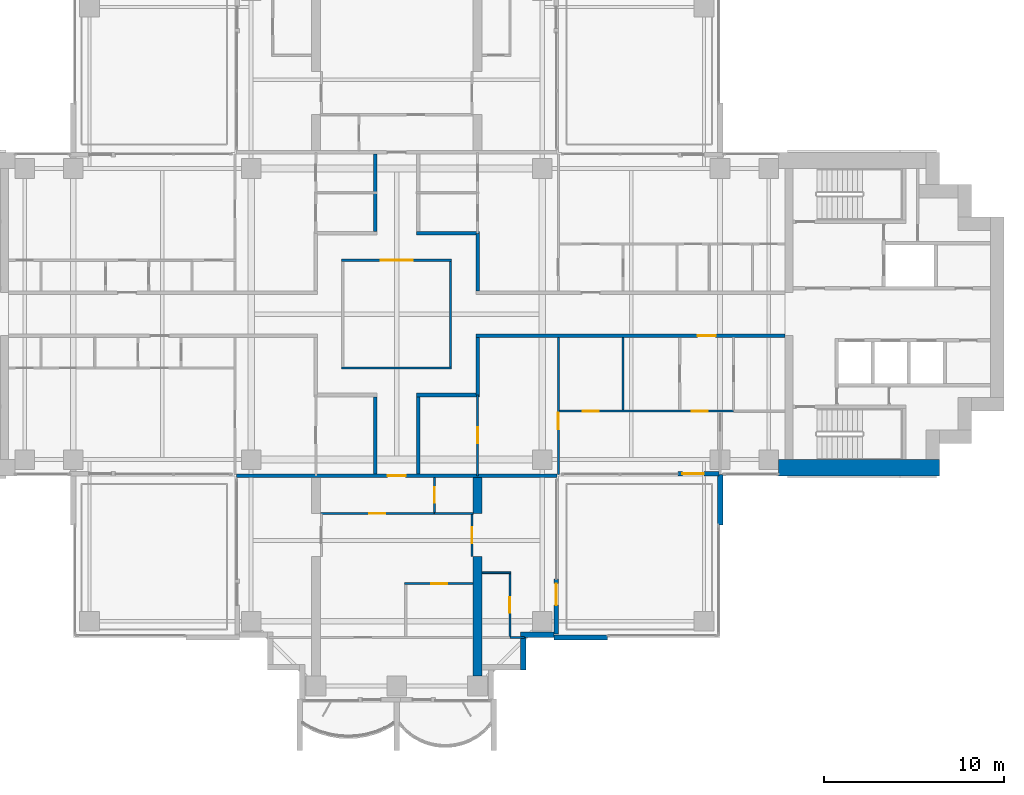
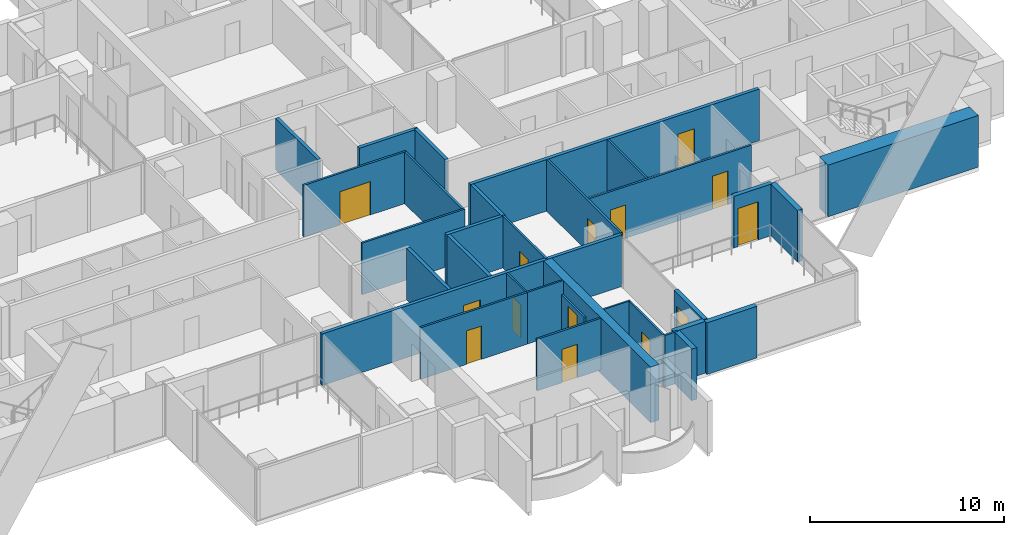
# One storey, part 11 of 19: 32 walls, 14 doors, 14 openings.
"""IFC4 building model written with IfcOpenShell, lengths in metres."""

from ifc_helpers import new_model, si_unit, direction, frame, frame_2d, origin, place, context, subcontext, project, spatial, polyline, rectangle, outline, extrude, material, layer, layer_set, material_profile, profile_set, type_object, element, fill, save


model = new_model("IFC4")

# Units and contexts
model_context = context("Model", 3, precision=1e-05, world=origin(), true_north=direction((0.0, 1.0)))
body_context = subcontext(model_context, "Body", "Model", "MODEL_VIEW")
ifc_project = project(units=[si_unit("LENGTHUNIT", "METRE"), si_unit("AREAUNIT", "SQUARE_METRE"), si_unit("VOLUMEUNIT", "CUBIC_METRE"), si_unit("PLANEANGLEUNIT", "RADIAN"), si_unit("MASSUNIT", "GRAM", prefix="KILO")], contexts=[model_context])

# Site, building, storey
site_placement = place(None, origin())
site = spatial("IfcSite", under=ifc_project, at=site_placement, CompositionType="ELEMENT")
building_placement = place(site_placement, origin())
building = spatial("IfcBuilding", under=site, at=building_placement, Name="Perihelion Cross Residences", CompositionType="ELEMENT")
storey_placement = place(building_placement, frame((0.0, 0.0, 105.89990234375)))
storey = spatial("IfcBuildingStorey", under=building, at=storey_placement, Name="L24", CompositionType="ELEMENT", Elevation=105.89990234375)

# Walls
ifc_material_1 = material(Name="Plasterboard partition")
ifc_layer_1 = layer(ifc_material_1, 0.199951171875)
ifc_layer_set_1 = layer_set([ifc_layer_1], Name="Apartment separation wall 200")
wall_type_1 = type_object("IfcWallType", Name="Apartment separation wall 200", PredefinedType="PARTITIONING", material=ifc_layer_set_1)
wall_1_placement = place(storey_placement, frame((4.5, 4.5, 0.0), z_axis=(0.0, 0.0, 1.0), x_axis=(0.0, -1.0, 0.0)))
element("IfcWall", 1, at=wall_1_placement, inside=storey, type_object=wall_type_1, Name="Partition L24 W006", PredefinedType="PARTITIONING", context=body_context, shape_type="SweptSolid", body=[
    extrude(rectangle(XDim=3.199951171875, YDim=0.199951171875, at=frame_2d((1.60009765625, 0.0))), origin(), (0.0, 0.0, 1.0), 3.25),
])
wall_2_placement = place(storey_placement, frame((1.10009765625, 4.5, 0.0), z_axis=(0.0, 0.0, 1.0), x_axis=(1.0, 0.0, 0.0)))
element("IfcWall", 2, at=wall_2_placement, inside=storey, type_object=wall_type_1, Name="Partition L24 W008", PredefinedType="PARTITIONING", context=body_context, shape_type="SweptSolid", body=[
    extrude(rectangle(XDim=3.5, YDim=0.199951171875, at=frame_2d((1.75, 0.0))), origin(), (0.0, 0.0, 1.0), 3.25),
])

# Wall, opening, door
wall_3_placement = place(storey_placement, frame((21.60009765625, -1.199951171875, 0.0), z_axis=(0.0, 0.0, 1.0), x_axis=(-1.0, 0.0, 0.0)))
wall_3 = element("IfcWall", 3, at=wall_3_placement, inside=storey, type_object=wall_type_1, Name="Partition L24 W009", PredefinedType="PARTITIONING", context=body_context, shape_type="SweptSolid", body=[
    extrude(rectangle(XDim=17.2001953125, YDim=0.199951171875, at=frame_2d((8.60009765625, 0.0))), origin(), (0.0, 0.0, 1.0), 3.25),
])
opening_1_placement = place(wall_3_placement, frame((3.85009765625, 0.0, 0.0)))
opening_1 = element("IfcOpeningElement", 4, at=opening_1_placement, cuts=wall_3, Name="Opening L24.A47", PredefinedType="OPENING", context=body_context, shape_type="SweptSolid", body=[
    extrude(rectangle(XDim=1.0, YDim=2.10009765625, at=frame_2d((0.5, 1.050048828125))), frame((0.0, 0.10986328125, 0.0), z_axis=(0.0, -1.0, 0.0), x_axis=(1.0, 0.0, 0.0)), (0.0, 0.0, 1.0), 0.219970703125),
])
ifc_material_2 = material(Name="Timber door leaf", Category="wood")
door_type_1 = type_object("IfcDoorType", Name="Flat entrance door 1000 x 2100", OperationType="SINGLE_SWING_LEFT", PredefinedType="DOOR", material=ifc_material_2)
door_1_placement = place(opening_1_placement, origin())
door_1 = element("IfcDoor", 5, at=door_1_placement, inside=storey, type_object=door_type_1, Name="Door L24.A47", OperationType="SINGLE_SWING_LEFT", OverallHeight=2.10009765625, OverallWidth=1.0, PredefinedType="DOOR", context=body_context, shape_type="SweptSolid", body=[
    extrude(rectangle(XDim=1.0, YDim=2.10009765625, at=frame_2d((0.5, 1.050048828125))), frame((0.0, 0.02490234375, 0.0), z_axis=(0.0, -1.0, 0.0), x_axis=(1.0, 0.0, 0.0)), (0.0, 0.0, 1.0), 0.050048828125),
])
fill(opening_1, door_1)

# Walls
wall_4_placement = place(storey_placement, frame((4.5, -1.300048828125, 0.0), z_axis=(0.0, 0.0, 1.0), x_axis=(0.0, -1.0, 0.0)))
element("IfcWall", 6, at=wall_4_placement, inside=storey, type_object=wall_type_1, Name="Partition L24 W010", PredefinedType="PARTITIONING", context=body_context, shape_type="SweptSolid", body=[
    extrude(rectangle(XDim=3.199951171875, YDim=0.199951171875, at=frame_2d((1.60009765625, 0.0))), origin(), (0.0, 0.0, 1.0), 3.25),
])
wall_5_placement = place(storey_placement, frame((4.60009765625, -4.5, 0.0), z_axis=(0.0, 0.0, 1.0), x_axis=(-1.0, 0.0, 0.0)))
element("IfcWall", 7, at=wall_5_placement, inside=storey, type_object=wall_type_1, Name="Partition L24 W011", PredefinedType="PARTITIONING", context=body_context, shape_type="SweptSolid", body=[
    extrude(rectangle(XDim=3.5, YDim=0.199951171875, at=frame_2d((1.75, 0.0))), origin(), (0.0, 0.0, 1.0), 3.25),
])
for number, where, z_axis, x_axis, name in (
    (8, (1.199951171875, -4.60009765625, 0.0), (0.0, 0.0, 1.0), (0.0, -1.0, 0.0), "Partition L24 W012"),
    (9, (-1.199951171875, 4.60009765625, 0.0), (0.0, 0.0, 1.0), (0.0, 1.0, 0.0), "Partition L24 W016"),
    (10, (-1.199951171875, -8.89990234375, 0.0), (0.0, 0.0, 1.0), (0.0, 1.0, 0.0), "Partition L24 W019"),
):
    element("IfcWall", number, at=place(storey_placement, frame(where, z_axis=z_axis, x_axis=x_axis)), inside=storey, type_object=wall_type_1, Name=name, PredefinedType="PARTITIONING", context=body_context, shape_type="SweptSolid", body=[
        extrude(rectangle(XDim=4.2998046875, YDim=0.199951171875, at=frame_2d((2.14990234375, 0.0))), origin(), (0.0, 0.0, 1.0), 3.25),
    ])

# Wall, opening, door
wall_6_placement = place(storey_placement, frame((8.919921875, -9.0, 0.0), z_axis=(0.0, 0.0, 1.0), x_axis=(-1.0, 0.0, 0.0)))
wall_6 = element("IfcWall", 11, at=wall_6_placement, inside=storey, type_object=wall_type_1, Name="Partition L24 W022", PredefinedType="PARTITIONING", context=body_context, shape_type="SweptSolid", body=[
    extrude(rectangle(XDim=17.83984375, YDim=0.199951171875, at=frame_2d((8.919921875, 0.0))), origin(), (0.0, 0.0, 1.0), 3.25),
])
opening_2_placement = place(wall_6_placement, frame((8.419921875, 0.0, 0.0)))
opening_2 = element("IfcOpeningElement", 12, at=opening_2_placement, cuts=wall_6, Name="Opening L24.A40", PredefinedType="OPENING", context=body_context, shape_type="SweptSolid", body=[
    extrude(rectangle(XDim=1.0, YDim=2.10009765625, at=frame_2d((0.5, 1.050048828125))), frame((0.0, 0.10986328125, 0.0), z_axis=(0.0, -1.0, 0.0), x_axis=(1.0, 0.0, 0.0)), (0.0, 0.0, 1.0), 0.219970703125),
])
door_2_placement = place(opening_2_placement, origin())
door_2 = element("IfcDoor", 13, at=door_2_placement, inside=storey, type_object=door_type_1, Name="Door L24.A40", OperationType="SINGLE_SWING_RIGHT", OverallHeight=2.10009765625, OverallWidth=1.0, PredefinedType="DOOR", context=body_context, shape_type="SweptSolid", body=[
    extrude(rectangle(XDim=1.0, YDim=2.10009765625, at=frame_2d((0.5, 1.050048828125))), frame((0.0, 0.02490234375, 0.0), z_axis=(0.0, -1.0, 0.0), x_axis=(1.0, 0.0, 0.0)), (0.0, 0.0, 1.0), 0.050048828125),
])
fill(opening_2, door_2)

ifc_material_3 = material(Name="Concrete C30/37, bronze-clad", Category="concrete")
ifc_layer_2 = layer(ifc_material_3, 0.25)
ifc_layer_set_2 = layer_set([ifc_layer_2], Name="Bronze-clad pier wall 250")
wall_type_2 = type_object("IfcWallType", Name="Bronze-clad pier wall 250", PredefinedType="SOLIDWALL", material=ifc_layer_set_2)
wall_7_placement = place(storey_placement, frame((8.875, -17.800048828125, 0.0), z_axis=(0.0, 0.0, 1.0), x_axis=(0.0, 1.0, 0.0)))
wall_7 = element("IfcWall", 14, at=wall_7_placement, inside=storey, type_object=wall_type_2, Name="Wall FW1 L24 south side east bay 1 pier", PredefinedType="SOLIDWALL", context=body_context, shape_type="SweptSolid", body=[
    extrude(rectangle(XDim=3.050048828125, YDim=0.25, at=frame_2d((1.52490234375, 0.0))), origin(), (0.0, 0.0, 1.0), 3.25),
])
opening_3_placement = place(wall_7_placement, frame((1.60009765625, 0.0, 0.0)))
opening_3 = element("IfcOpeningElement", 15, at=opening_3_placement, cuts=wall_7, Name="Opening L24.E13", PredefinedType="OPENING", context=body_context, shape_type="SweptSolid", body=[
    extrude(rectangle(XDim=1.199951171875, YDim=2.39990234375, at=frame_2d((0.60009765625, 1.199951171875))), frame((0.0, 0.135009765625, 0.0), z_axis=(0.0, -1.0, 0.0), x_axis=(1.0, 0.0, 0.0)), (0.0, 0.0, 1.0), 0.27001953125),
])
ifc_material_4 = material(Name="Bronze anodised aluminium, glazed", Category="aluminium")
door_type_2 = type_object("IfcDoorType", Name="Balcony door 1200 x 2400", OperationType="NOTDEFINED", PredefinedType="DOOR", material=ifc_material_4)
door_3_placement = place(opening_3_placement, origin())
door_3 = element("IfcDoor", 16, at=door_3_placement, inside=storey, type_object=door_type_2, Name="Door L24.E13 south side east bay 1", OperationType="SINGLE_SWING_RIGHT", OverallHeight=2.39990234375, OverallWidth=1.199951171875, PredefinedType="DOOR", context=body_context, shape_type="SweptSolid", body=[
    extrude(rectangle(XDim=1.199951171875, YDim=2.39990234375, at=frame_2d((0.60009765625, 1.199951171875))), frame((0.0, 0.02490234375, 0.0), z_axis=(0.0, -1.0, 0.0), x_axis=(1.0, 0.0, 0.0)), (0.0, 0.0, 1.0), 0.050048828125),
])
fill(opening_3, door_3)

wall_8_placement = place(storey_placement, frame((15.64990234375, -8.875, 0.0), z_axis=(0.0, 0.0, 1.0), x_axis=(1.0, 0.0, 0.0)))
wall_8 = element("IfcWall", 17, at=wall_8_placement, inside=storey, type_object=wall_type_2, Name="Wall FW1 L24 east side south bay 1 pier", PredefinedType="SOLIDWALL", context=body_context, shape_type="SweptSolid", body=[
    extrude(rectangle(XDim=2.2900390625, YDim=0.25, at=frame_2d((1.14501953125, 0.0))), origin(), (0.0, 0.0, 1.0), 3.25),
])
opening_4_placement = place(wall_8_placement, frame((0.25, 0.0, 0.0)))
opening_4 = element("IfcOpeningElement", 18, at=opening_4_placement, cuts=wall_8, Name="Opening L24.E14", PredefinedType="OPENING", context=body_context, shape_type="SweptSolid", body=[
    extrude(rectangle(XDim=1.199951171875, YDim=2.39990234375, at=frame_2d((0.60009765625, 1.199951171875))), frame((0.0, 0.135009765625, 0.0), z_axis=(0.0, -1.0, 0.0), x_axis=(1.0, 0.0, 0.0)), (0.0, 0.0, 1.0), 0.27001953125),
])
door_4_placement = place(opening_4_placement, origin())
door_4 = element("IfcDoor", 19, at=door_4_placement, inside=storey, type_object=door_type_2, Name="Door L24.E14 east side south bay 1", OperationType="SINGLE_SWING_LEFT", OverallHeight=2.39990234375, OverallWidth=1.199951171875, PredefinedType="DOOR", context=body_context, shape_type="SweptSolid", body=[
    extrude(rectangle(XDim=1.199951171875, YDim=2.39990234375, at=frame_2d((0.60009765625, 1.199951171875))), frame((0.0, 0.02490234375, 0.0), z_axis=(0.0, -1.0, 0.0), x_axis=(1.0, 0.0, 0.0)), (0.0, 0.0, 1.0), 0.050048828125),
])
fill(opening_4, door_4)

# Walls
ifc_material_5 = material(Name="Concrete C30/37, bronze-clad", Category="concrete")
ifc_layer_3 = layer(ifc_material_5, 0.300048828125)
ifc_layer_set_3 = layer_set([ifc_layer_3], Name="Bronze-clad serration wall 300")
wall_type_3 = type_object("IfcWallType", Name="Bronze-clad serration wall 300", PredefinedType="SOLIDWALL", material=ifc_layer_set_3)
wall_9_placement = place(storey_placement, frame((7.050048828125, -19.800048828125, 0.0), z_axis=(0.0, 0.0, 1.0), x_axis=(0.0, 1.0, 0.0)))
element("IfcWall", 20, at=wall_9_placement, inside=storey, type_object=wall_type_3, Name="Wall SR1 L24 south corner south-east 3", PredefinedType="SOLIDWALL", context=body_context, shape_type="SweptSolid", body=[
    extrude(rectangle(XDim=1.800048828125, YDim=0.300048828125, at=frame_2d((0.89990234375, 0.0))), origin(), (0.0, 0.0, 1.0), 3.25),
])
wall_10_placement = place(storey_placement, frame((6.89990234375, -17.85009765625, 0.0), z_axis=(0.0, 0.0, 1.0), x_axis=(1.0, 0.0, 0.0)))
element("IfcWall", 21, at=wall_10_placement, inside=storey, type_object=wall_type_3, Name="Wall SR1 L24 south corner south-east 4", PredefinedType="SOLIDWALL", context=body_context, shape_type="SweptSolid", body=[
    extrude(rectangle(XDim=1.85009765625, YDim=0.300048828125, at=frame_2d((0.925048828125, 0.0))), origin(), (0.0, 0.0, 1.0), 3.25),
])
ifc_material_6 = material(Name="Concrete C60/75", Category="concrete")
ifc_layer_4 = layer(ifc_material_6, 0.89990234375)
ifc_layer_set_4 = layer_set([ifc_layer_4], Name="Core wall, outer 900")
wall_type_4 = type_object("IfcWallType", Name="Core wall, outer 900", PredefinedType="SHEAR", material=ifc_layer_set_4)
wall_11_placement = place(storey_placement, frame((21.25, -8.550048828125, 0.0), z_axis=(0.0, 0.0, 1.0), x_axis=(1.0, 0.0, 0.0)))
element("IfcWall", 22, at=wall_11_placement, inside=storey, type_object=wall_type_4, Name="East core core wall, outer", PredefinedType="SHEAR", context=body_context, shape_type="SweptSolid", body=[
    extrude(rectangle(XDim=8.949951171875, YDim=0.89990234375, at=frame_2d((4.47509765625, 0.0))), origin(), (0.0, 0.0, 1.0), 3.25),
])

# Wall, opening, door
ifc_material_7 = material(Name="Plasterboard partition")
ifc_layer_5 = layer(ifc_material_7, 0.1201171875)
ifc_layer_set_5 = layer_set([ifc_layer_5], Name="Infill panel 120")
wall_type_5 = type_object("IfcWallType", Name="Infill panel 120", PredefinedType="PARTITIONING", material=ifc_layer_set_5)
wall_12_placement = place(storey_placement, frame((4.18994140625, -11.10009765625, 0.0), z_axis=(0.0, 0.0, 1.0), x_axis=(0.0, -1.0, 0.0)))
wall_12 = element("IfcWall", 23, at=wall_12_placement, inside=storey, type_object=wall_type_5, Name="Partition L24 WI05", PredefinedType="PARTITIONING", context=body_context, shape_type="SweptSolid", body=[
    extrude(rectangle(XDim=2.39990234375, YDim=0.1201171875, at=frame_2d((1.199951171875, 0.0))), origin(), (0.0, 0.0, 1.0), 2.400146484375),
])
opening_5_placement = place(wall_12_placement, frame((0.75, 0.0, 0.0)))
opening_5 = element("IfcOpeningElement", 24, at=opening_5_placement, cuts=wall_12, Name="Opening L24.A54", PredefinedType="OPENING", context=body_context, shape_type="SweptSolid", body=[
    extrude(rectangle(XDim=0.89990234375, YDim=2.10009765625, at=frame_2d((0.449951171875, 1.050048828125))), frame((0.0, 0.070068359375, 0.0), z_axis=(0.0, -1.0, 0.0), x_axis=(1.0, 0.0, 0.0)), (0.0, 0.0, 1.0), 0.14013671875),
])
ifc_material_8 = material(Name="Timber door leaf", Category="wood")
door_type_3 = type_object("IfcDoorType", Name="Interior room door 900 x 2100", OperationType="SINGLE_SWING_LEFT", PredefinedType="DOOR", material=ifc_material_8)
door_5_placement = place(opening_5_placement, origin())
door_5 = element("IfcDoor", 25, at=door_5_placement, inside=storey, type_object=door_type_3, Name="Door L24.A54", OperationType="SINGLE_SWING_LEFT", OverallHeight=2.10009765625, OverallWidth=0.89990234375, PredefinedType="DOOR", context=body_context, shape_type="SweptSolid", body=[
    extrude(rectangle(XDim=0.89990234375, YDim=2.10009765625, at=frame_2d((0.449951171875, 1.050048828125))), frame((0.0, 0.02490234375, 0.0), z_axis=(0.0, -1.0, 0.0), x_axis=(1.0, 0.0, 0.0)), (0.0, 0.0, 1.0), 0.050048828125),
])
fill(opening_5, door_5)

# Walls
ifc_material_9 = material(Name="Plasterboard partition")
ifc_layer_6 = layer(ifc_material_9, 0.1201171875)
ifc_layer_set_6 = layer_set([ifc_layer_6], Name="Partition wall 120")
wall_type_6 = type_object("IfcWallType", Name="Partition wall 120", PredefinedType="PARTITIONING", material=ifc_layer_set_6)
wall_13_placement = place(storey_placement, frame((-3.06005859375, -3.0, 0.0), z_axis=(0.0, 0.0, 1.0), x_axis=(1.0, 0.0, 0.0)))
element("IfcWall", 26, at=wall_13_placement, inside=storey, type_object=wall_type_6, Name="Partition L24 W001", PredefinedType="PARTITIONING", context=body_context, shape_type="SweptSolid", body=[
    extrude(rectangle(XDim=6.1201171875, YDim=0.1201171875, at=frame_2d((3.06005859375, 0.0))), origin(), (0.0, 0.0, 1.0), 3.25),
])
wall_14_placement = place(storey_placement, frame((3.0, -2.93994140625, 0.0), z_axis=(0.0, 0.0, 1.0), x_axis=(0.0, 1.0, 0.0)))
element("IfcWall", 27, at=wall_14_placement, inside=storey, type_object=wall_type_6, Name="Partition L24 W002", PredefinedType="PARTITIONING", context=body_context, shape_type="SweptSolid", body=[
    extrude(rectangle(XDim=5.8798828125, YDim=0.1201171875, at=frame_2d((2.93994140625, 0.0))), origin(), (0.0, 0.0, 1.0), 3.25),
])

# Wall, opening, door
wall_15_placement = place(storey_placement, frame((3.06005859375, 3.0, 0.0), z_axis=(0.0, 0.0, 1.0), x_axis=(-1.0, 0.0, 0.0)))
wall_15 = element("IfcWall", 28, at=wall_15_placement, inside=storey, type_object=wall_type_6, Name="Partition L24 W003", PredefinedType="PARTITIONING", context=body_context, shape_type="SweptSolid", body=[
    extrude(rectangle(XDim=6.1201171875, YDim=0.1201171875, at=frame_2d((3.06005859375, 0.0))), origin(), (0.0, 0.0, 1.0), 3.25),
])
opening_6_placement = place(wall_15_placement, frame((2.159912109375, 0.0, 0.0)))
opening_6 = element("IfcOpeningElement", 29, at=opening_6_placement, cuts=wall_15, Name="Opening L24.A01", PredefinedType="OPENING", context=body_context, shape_type="SweptSolid", body=[
    extrude(rectangle(XDim=1.800048828125, YDim=2.10009765625, at=frame_2d((0.89990234375, 1.050048828125))), frame((0.0, 0.070068359375, 0.0), z_axis=(0.0, -1.0, 0.0), x_axis=(1.0, 0.0, 0.0)), (0.0, 0.0, 1.0), 0.14013671875),
])
ifc_material_10 = material(Name="Glazed timber door leaf", Category="wood")
door_type_4 = type_object("IfcDoorType", Name="Interior double leaf door 1800 x 2100", OperationType="DOUBLE_DOOR_SINGLE_SWING", PredefinedType="DOOR", material=ifc_material_10)
door_6_placement = place(opening_6_placement, origin())
door_6 = element("IfcDoor", 30, at=door_6_placement, inside=storey, type_object=door_type_4, Name="Door L24.A01", OperationType="SINGLE_SWING_LEFT", OverallHeight=2.10009765625, OverallWidth=1.800048828125, PredefinedType="DOOR", context=body_context, shape_type="SweptSolid", body=[
    extrude(rectangle(XDim=1.800048828125, YDim=2.10009765625, at=frame_2d((0.89990234375, 1.050048828125))), frame((0.0, 0.02490234375, 0.0), z_axis=(0.0, -1.0, 0.0), x_axis=(1.0, 0.0, 0.0)), (0.0, 0.0, 1.0), 0.050048828125),
])
fill(opening_6, door_6)

# Wall
wall_16_placement = place(storey_placement, frame((12.60009765625, -1.300048828125, 0.0), z_axis=(0.0, 0.0, 1.0), x_axis=(0.0, -1.0, 0.0)))
element("IfcWall", 31, at=wall_16_placement, inside=storey, type_object=wall_type_6, Name="Partition L24 W034", PredefinedType="PARTITIONING", context=body_context, shape_type="SweptSolid", body=[
    extrude(rectangle(XDim=4.0400390625, YDim=0.1201171875, at=frame_2d((2.02001953125, 0.0))), origin(), (0.0, 0.0, 1.0), 3.25),
])

# Wall, openings, doors
wall_17_placement = place(storey_placement, frame((18.75, -5.39990234375, 0.0), z_axis=(0.0, 0.0, 1.0), x_axis=(-1.0, 0.0, 0.0)))
wall_17 = element("IfcWall", 32, at=wall_17_placement, inside=storey, type_object=wall_type_6, Name="Partition L24 W035", PredefinedType="PARTITIONING", context=body_context, shape_type="SweptSolid", body=[
    extrude(rectangle(XDim=9.81005859375, YDim=0.1201171875, at=frame_2d((4.905029296875, 0.0))), origin(), (0.0, 0.0, 1.0), 3.25),
])
opening_7_placement = place(wall_17_placement, frame((7.5, 0.0, 0.0)))
opening_7 = element("IfcOpeningElement", 33, at=opening_7_placement, cuts=wall_17, Name="Opening L24.A13", PredefinedType="OPENING", context=body_context, shape_type="SweptSolid", body=[
    extrude(rectangle(XDim=0.89990234375, YDim=2.10009765625, at=frame_2d((0.449951171875, 1.050048828125))), frame((0.0, 0.070068359375, 0.0), z_axis=(0.0, -1.0, 0.0), x_axis=(1.0, 0.0, 0.0)), (0.0, 0.0, 1.0), 0.14013671875),
])
opening_8_placement = place(wall_17_placement, frame((1.425048828125, 0.0, 0.0)))
opening_8 = element("IfcOpeningElement", 34, at=opening_8_placement, cuts=wall_17, Name="Opening L24.A14", PredefinedType="OPENING", context=body_context, shape_type="SweptSolid", body=[
    extrude(rectangle(XDim=0.89990234375, YDim=2.10009765625, at=frame_2d((0.449951171875, 1.050048828125))), frame((0.0, 0.070068359375, 0.0), z_axis=(0.0, -1.0, 0.0), x_axis=(1.0, 0.0, 0.0)), (0.0, 0.0, 1.0), 0.14013671875),
])
door_7_placement = place(opening_7_placement, origin())
door_7 = element("IfcDoor", 35, at=door_7_placement, inside=storey, type_object=door_type_3, Name="Door L24.A13", OperationType="SINGLE_SWING_LEFT", OverallHeight=2.10009765625, OverallWidth=0.89990234375, PredefinedType="DOOR", context=body_context, shape_type="SweptSolid", body=[
    extrude(rectangle(XDim=0.89990234375, YDim=2.10009765625, at=frame_2d((0.449951171875, 1.050048828125))), frame((0.0, 0.02490234375, 0.0), z_axis=(0.0, -1.0, 0.0), x_axis=(1.0, 0.0, 0.0)), (0.0, 0.0, 1.0), 0.050048828125),
])
fill(opening_7, door_7)
door_8_placement = place(opening_8_placement, origin())
door_8 = element("IfcDoor", 36, at=door_8_placement, inside=storey, type_object=door_type_3, Name="Door L24.A14", OperationType="SINGLE_SWING_RIGHT", OverallHeight=2.10009765625, OverallWidth=0.89990234375, PredefinedType="DOOR", context=body_context, shape_type="SweptSolid", body=[
    extrude(rectangle(XDim=0.89990234375, YDim=2.10009765625, at=frame_2d((0.449951171875, 1.050048828125))), frame((0.0, 0.02490234375, 0.0), z_axis=(0.0, -1.0, 0.0), x_axis=(1.0, 0.0, 0.0)), (0.0, 0.0, 1.0), 0.050048828125),
])
fill(opening_8, door_8)

# Wall, opening, door
wall_18_placement = place(storey_placement, frame((9.0, -8.919921875, 0.0), z_axis=(0.0, 0.0, 1.0), x_axis=(0.0, 1.0, 0.0)))
wall_18 = element("IfcWall", 37, at=wall_18_placement, inside=storey, type_object=wall_type_6, Name="Partition L24 W036", PredefinedType="PARTITIONING", context=body_context, shape_type="SweptSolid", body=[
    extrude(rectangle(XDim=7.619873046875, YDim=0.1201171875, at=frame_2d((3.81005859375, 0.0))), origin(), (0.0, 0.0, 1.0), 3.25),
])
opening_9_placement = place(wall_18_placement, frame((2.52001953125, 0.0, 0.0)))
opening_9 = element("IfcOpeningElement", 38, at=opening_9_placement, cuts=wall_18, Name="Opening L24.A15", PredefinedType="OPENING", context=body_context, shape_type="SweptSolid", body=[
    extrude(rectangle(XDim=0.89990234375, YDim=2.10009765625, at=frame_2d((0.449951171875, 1.050048828125))), frame((0.0, 0.070068359375, 0.0), z_axis=(0.0, -1.0, 0.0), x_axis=(1.0, 0.0, 0.0)), (0.0, 0.0, 1.0), 0.14013671875),
])
door_9_placement = place(opening_9_placement, origin())
door_9 = element("IfcDoor", 39, at=door_9_placement, inside=storey, type_object=door_type_3, Name="Door L24.A15", OperationType="SINGLE_SWING_LEFT", OverallHeight=2.10009765625, OverallWidth=0.89990234375, PredefinedType="DOOR", context=body_context, shape_type="SweptSolid", body=[
    extrude(rectangle(XDim=0.89990234375, YDim=2.10009765625, at=frame_2d((0.449951171875, 1.050048828125))), frame((0.0, 0.02490234375, 0.0), z_axis=(0.0, -1.0, 0.0), x_axis=(1.0, 0.0, 0.0)), (0.0, 0.0, 1.0), 0.050048828125),
])
fill(opening_9, door_9)

wall_19_placement = place(storey_placement, frame((4.5, -9.0, 0.0), z_axis=(0.0, 0.0, 1.0), x_axis=(0.0, 1.0, 0.0)))
wall_19 = element("IfcWall", 40, at=wall_19_placement, inside=storey, type_object=wall_type_6, Name="Partition L24 W041", PredefinedType="PARTITIONING", context=body_context, shape_type="SweptSolid", body=[
    extrude(rectangle(XDim=4.5, YDim=0.1201171875, at=frame_2d((2.25, 0.0))), origin(), (0.0, 0.0, 1.0), 3.25),
])
opening_10_placement = place(wall_19_placement, frame((1.800048828125, 0.0, 0.0)))
opening_10 = element("IfcOpeningElement", 41, at=opening_10_placement, cuts=wall_19, Name="Opening L24.A11", PredefinedType="OPENING", context=body_context, shape_type="SweptSolid", body=[
    extrude(rectangle(XDim=0.89990234375, YDim=2.10009765625, at=frame_2d((0.449951171875, 1.050048828125))), frame((0.0, 0.070068359375, 0.0), z_axis=(0.0, -1.0, 0.0), x_axis=(1.0, 0.0, 0.0)), (0.0, 0.0, 1.0), 0.14013671875),
])
door_10_placement = place(opening_10_placement, origin())
door_10 = element("IfcDoor", 42, at=door_10_placement, inside=storey, type_object=door_type_3, Name="Door L24.A11", OperationType="SINGLE_SWING_RIGHT", OverallHeight=2.10009765625, OverallWidth=0.89990234375, PredefinedType="DOOR", context=body_context, shape_type="SweptSolid", body=[
    extrude(rectangle(XDim=0.89990234375, YDim=2.10009765625, at=frame_2d((0.449951171875, 1.050048828125))), frame((0.0, 0.02490234375, 0.0), z_axis=(0.0, -1.0, 0.0), x_axis=(1.0, 0.0, 0.0)), (0.0, 0.0, 1.0), 0.050048828125),
])
fill(opening_10, door_10)

wall_20_placement = place(storey_placement, frame((2.10009765625, -11.10009765625, 0.0), z_axis=(0.0, 0.0, 1.0), x_axis=(-1.0, 0.0, 0.0)))
wall_20 = element("IfcWall", 43, at=wall_20_placement, inside=storey, type_object=wall_type_6, Name="Partition L24 W079", PredefinedType="PARTITIONING", context=body_context, shape_type="SweptSolid", body=[
    extrude(rectangle(XDim=6.35009765625, YDim=0.1201171875, at=frame_2d((3.175048828125, 0.0))), origin(), (0.0, 0.0, 1.0), 3.25),
])
opening_11_placement = place(wall_20_placement, frame((2.72509765625, 0.0, 0.0)))
opening_11 = element("IfcOpeningElement", 44, at=opening_11_placement, cuts=wall_20, Name="Opening L24.A42", PredefinedType="OPENING", context=body_context, shape_type="SweptSolid", body=[
    extrude(rectangle(XDim=0.89990234375, YDim=2.10009765625, at=frame_2d((0.449951171875, 1.050048828125))), frame((0.0, 0.070068359375, 0.0), z_axis=(0.0, -1.0, 0.0), x_axis=(1.0, 0.0, 0.0)), (0.0, 0.0, 1.0), 0.14013671875),
])
door_11_placement = place(opening_11_placement, origin())
door_11 = element("IfcDoor", 45, at=door_11_placement, inside=storey, type_object=door_type_3, Name="Door L24.A42", OperationType="SINGLE_SWING_RIGHT", OverallHeight=2.10009765625, OverallWidth=0.89990234375, PredefinedType="DOOR", context=body_context, shape_type="SweptSolid", body=[
    extrude(rectangle(XDim=0.89990234375, YDim=2.10009765625, at=frame_2d((0.449951171875, 1.050048828125))), frame((0.0, 0.02490234375, 0.0), z_axis=(0.0, -1.0, 0.0), x_axis=(1.0, 0.0, 0.0)), (0.0, 0.0, 1.0), 0.050048828125),
])
fill(opening_11, door_11)

wall_21_placement = place(storey_placement, frame((4.25, -15.0, 0.0), z_axis=(0.0, 0.0, 1.0), x_axis=(-1.0, 0.0, 0.0)))
wall_21 = element("IfcWall", 46, at=wall_21_placement, inside=storey, type_object=wall_type_6, Name="Partition L24 W081", PredefinedType="PARTITIONING", context=body_context, shape_type="SweptSolid", body=[
    extrude(rectangle(XDim=3.81005859375, YDim=0.1201171875, at=frame_2d((1.905029296875, 0.0))), origin(), (0.0, 0.0, 1.0), 3.25),
])
opening_12_placement = place(wall_21_placement, frame((1.425048828125, 0.0, 0.0)))
opening_12 = element("IfcOpeningElement", 47, at=opening_12_placement, cuts=wall_21, Name="Opening L24.A43", PredefinedType="OPENING", context=body_context, shape_type="SweptSolid", body=[
    extrude(rectangle(XDim=0.89990234375, YDim=2.10009765625, at=frame_2d((0.449951171875, 1.050048828125))), frame((0.0, 0.070068359375, 0.0), z_axis=(0.0, -1.0, 0.0), x_axis=(1.0, 0.0, 0.0)), (0.0, 0.0, 1.0), 0.14013671875),
])
door_12_placement = place(opening_12_placement, origin())
door_12 = element("IfcDoor", 48, at=door_12_placement, inside=storey, type_object=door_type_3, Name="Door L24.A43", OperationType="SINGLE_SWING_RIGHT", OverallHeight=2.10009765625, OverallWidth=0.89990234375, PredefinedType="DOOR", context=body_context, shape_type="SweptSolid", body=[
    extrude(rectangle(XDim=0.89990234375, YDim=2.10009765625, at=frame_2d((0.449951171875, 1.050048828125))), frame((0.0, 0.02490234375, 0.0), z_axis=(0.0, -1.0, 0.0), x_axis=(1.0, 0.0, 0.0)), (0.0, 0.0, 1.0), 0.050048828125),
])
fill(opening_12, door_12)

# Walls
wall_22_placement = place(storey_placement, frame((7.1201171875, -18.0, 0.0), z_axis=(0.0, 0.0, 1.0), x_axis=(-1.0, 0.0, 0.0)))
element("IfcWall", 49, at=wall_22_placement, inside=storey, type_object=wall_type_6, Name="Partition L24 W086", PredefinedType="PARTITIONING", context=body_context, shape_type="SweptSolid", body=[
    extrude(rectangle(XDim=0.820068359375, YDim=0.1201171875, at=frame_2d((0.41015625, 0.0))), origin(), (0.0, 0.0, 1.0), 3.25),
])
ifc_material_11 = material(Name="Precast concrete C50/60", Category="concrete")
ifc_layer_7 = layer(ifc_material_11, 0.300048828125)
ifc_layer_set_7 = layer_set([ifc_layer_7], Name="Precast concrete C50/60 blade wall 300")
wall_type_7 = type_object("IfcWallType", Name="Precast concrete C50/60 blade wall 300", PredefinedType="SOLIDWALL", material=ifc_layer_set_7)
wall_23_placement = place(storey_placement, frame((8.75, -18.0, 0.0), z_axis=(0.0, 0.0, 1.0), x_axis=(1.0, 0.0, 0.0)))
element("IfcWall", 50, at=wall_23_placement, inside=storey, type_object=wall_type_7, Name="Wall BL1 L24 no. 14", PredefinedType="SOLIDWALL", context=body_context, shape_type="SweptSolid", body=[
    extrude(rectangle(XDim=2.989990234375, YDim=0.300048828125, at=frame_2d((1.4951171875, 0.0))), origin(), (0.0, 0.0, 1.0), 3.25),
])
wall_24_placement = place(storey_placement, frame((18.0, -8.919921875, 0.0), z_axis=(0.0, 0.0, 1.0), x_axis=(0.0, -1.0, 0.0)))
element("IfcWall", 51, at=wall_24_placement, inside=storey, type_object=wall_type_7, Name="Wall BL1 L24 no. 10", PredefinedType="SOLIDWALL", context=body_context, shape_type="SweptSolid", body=[
    extrude(rectangle(XDim=2.820068359375, YDim=0.300048828125, at=frame_2d((1.41015625, 0.0))), origin(), (0.0, 0.0, 1.0), 3.25),
])
ifc_material_12 = material(Name="Concrete C60/75", Category="concrete")
ifc_material_profile = material_profile(ifc_material_12, outline(polyline([(0.0, 0.0), (6.64990234375, 0.0), (6.64990234375, 2.64990234375), (9.050048828125, 2.64990234375), (9.050048828125, 0.0), (11.14990234375, 0.0), (11.14990234375, 3.5), (0.0, 3.5), (0.0, 0.0)])), Name="Tip spine wall")
ifc_profile_set = profile_set([ifc_material_profile], Name="Concrete C60/75")
wall_type_8 = type_object("IfcWallType", Name="Tip spine wall 500 with 1 door openings 11150 long 3500 high concrete C60/75", PredefinedType="SHEAR", material=ifc_profile_set)
wall_25_placement = place(storey_placement, frame((4.25, -20.14990234375, -0.25), z_axis=(1.0, 0.0, 0.0), x_axis=(0.0, 1.0, 0.0)))
element("IfcWall", 52, at=wall_25_placement, inside=storey, type_object=wall_type_8, Name="Shear wall SW33 L24 south east", PredefinedType="SHEAR", context=body_context, shape_type="SweptSolid", body=[
    extrude(outline(polyline([(0.0, 0.0), (6.64990234375, 0.0), (6.64990234375, 2.64990234375), (9.050048828125, 2.64990234375), (9.050048828125, 0.0), (11.14990234375, 0.0), (11.14990234375, 3.5), (0.0, 3.5), (0.0, 0.0)])), origin(), (0.0, 0.0, 1.0), 0.5),
])

# Wall, opening, door
ifc_material_13 = material(Name="Plasterboard partition")
ifc_layer_8 = layer(ifc_material_13, 0.10009765625)
ifc_layer_set_8 = layer_set([ifc_layer_8], Name="Wet room wall 100")
wall_type_9 = type_object("IfcWallType", Name="Wet room wall 100", PredefinedType="PARTITIONING", material=ifc_layer_set_8)
wall_26_placement = place(storey_placement, frame((2.10009765625, -9.10009765625, 0.0), z_axis=(0.0, 0.0, 1.0), x_axis=(0.0, -1.0, 0.0)))
wall_26 = element("IfcWall", 53, at=wall_26_placement, inside=storey, type_object=wall_type_9, Name="Partition L24 W078", PredefinedType="PARTITIONING", context=body_context, shape_type="SweptSolid", body=[
    extrude(rectangle(XDim=1.93994140625, YDim=0.10009765625, at=frame_2d((0.969970703125, 0.0))), origin(), (0.0, 0.0, 1.0), 3.25),
])
opening_13_placement = place(wall_26_placement, frame((0.544921875, 0.0, 0.0)))
opening_13 = element("IfcOpeningElement", 54, at=opening_13_placement, cuts=wall_26, Name="Opening L24.A41", PredefinedType="OPENING", context=body_context, shape_type="SweptSolid", body=[
    extrude(rectangle(XDim=0.85009765625, YDim=2.10009765625, at=frame_2d((0.425048828125, 1.050048828125))), frame((0.0, 0.06005859375, 0.0), z_axis=(0.0, -1.0, 0.0), x_axis=(1.0, 0.0, 0.0)), (0.0, 0.0, 1.0), 0.1201171875),
])
ifc_material_14 = material(Name="Timber door leaf", Category="wood")
door_type_5 = type_object("IfcDoorType", Name="Interior bathroom door 850 x 2100", OperationType="SINGLE_SWING_LEFT", PredefinedType="DOOR", material=ifc_material_14)
door_13_placement = place(opening_13_placement, origin())
door_13 = element("IfcDoor", 55, at=door_13_placement, inside=storey, type_object=door_type_5, Name="Door L24.A41", OperationType="SINGLE_SWING_LEFT", OverallHeight=2.10009765625, OverallWidth=0.85009765625, PredefinedType="DOOR", context=body_context, shape_type="SweptSolid", body=[
    extrude(rectangle(XDim=0.85009765625, YDim=2.10009765625, at=frame_2d((0.425048828125, 1.050048828125))), frame((0.0, 0.02490234375, 0.0), z_axis=(0.0, -1.0, 0.0), x_axis=(1.0, 0.0, 0.0)), (0.0, 0.0, 1.0), 0.050048828125),
])
fill(opening_13, door_13)

# Wall
wall_27_placement = place(storey_placement, frame((4.25, -11.10009765625, 0.0), z_axis=(0.0, 0.0, 1.0), x_axis=(-1.0, 0.0, 0.0)))
element("IfcWall", 56, at=wall_27_placement, inside=storey, type_object=wall_type_9, Name="Partition L24 W080", PredefinedType="PARTITIONING", context=body_context, shape_type="SweptSolid", body=[
    extrude(rectangle(XDim=2.14990234375, YDim=0.10009765625, at=frame_2d((1.074951171875, 0.0))), origin(), (0.0, 0.0, 1.0), 3.25),
])

# Wall, opening, door
wall_28_placement = place(storey_placement, frame((6.300048828125, -17.93994140625, 0.0), z_axis=(0.0, 0.0, 1.0), x_axis=(0.0, 1.0, 0.0)))
wall_28 = element("IfcWall", 57, at=wall_28_placement, inside=storey, type_object=wall_type_9, Name="Partition L24 W084", PredefinedType="PARTITIONING", context=body_context, shape_type="SweptSolid", body=[
    extrude(rectangle(XDim=3.489990234375, YDim=0.10009765625, at=frame_2d((1.7451171875, 0.0))), origin(), (0.0, 0.0, 1.0), 3.25),
])
opening_14_placement = place(wall_28_placement, frame((1.320068359375, 0.0, 0.0)))
opening_14 = element("IfcOpeningElement", 58, at=opening_14_placement, cuts=wall_28, Name="Opening L24.A45", PredefinedType="OPENING", context=body_context, shape_type="SweptSolid", body=[
    extrude(rectangle(XDim=0.85009765625, YDim=2.10009765625, at=frame_2d((0.425048828125, 1.050048828125))), frame((0.0, 0.06005859375, 0.0), z_axis=(0.0, -1.0, 0.0), x_axis=(1.0, 0.0, 0.0)), (0.0, 0.0, 1.0), 0.1201171875),
])
door_14_placement = place(opening_14_placement, origin())
door_14 = element("IfcDoor", 59, at=door_14_placement, inside=storey, type_object=door_type_5, Name="Door L24.A45", OperationType="SINGLE_SWING_RIGHT", OverallHeight=2.10009765625, OverallWidth=0.85009765625, PredefinedType="DOOR", context=body_context, shape_type="SweptSolid", body=[
    extrude(rectangle(XDim=0.85009765625, YDim=2.10009765625, at=frame_2d((0.425048828125, 1.050048828125))), frame((0.0, 0.02490234375, 0.0), z_axis=(0.0, -1.0, 0.0), x_axis=(1.0, 0.0, 0.0)), (0.0, 0.0, 1.0), 0.050048828125),
])
fill(opening_14, door_14)

# Wall
wall_29_placement = place(storey_placement, frame((6.35009765625, -14.39990234375, 0.0), z_axis=(0.0, 0.0, 1.0), x_axis=(-1.0, 0.0, 0.0)))
element("IfcWall", 60, at=wall_29_placement, inside=storey, type_object=wall_type_9, Name="Partition L24 W085", PredefinedType="PARTITIONING", context=body_context, shape_type="SweptSolid", body=[
    extrude(rectangle(XDim=1.60009765625, YDim=0.10009765625, at=frame_2d((0.800048828125, 0.0))), origin(), (0.0, 0.0, 1.0), 3.25),
])

save(model, "model.ifc")
